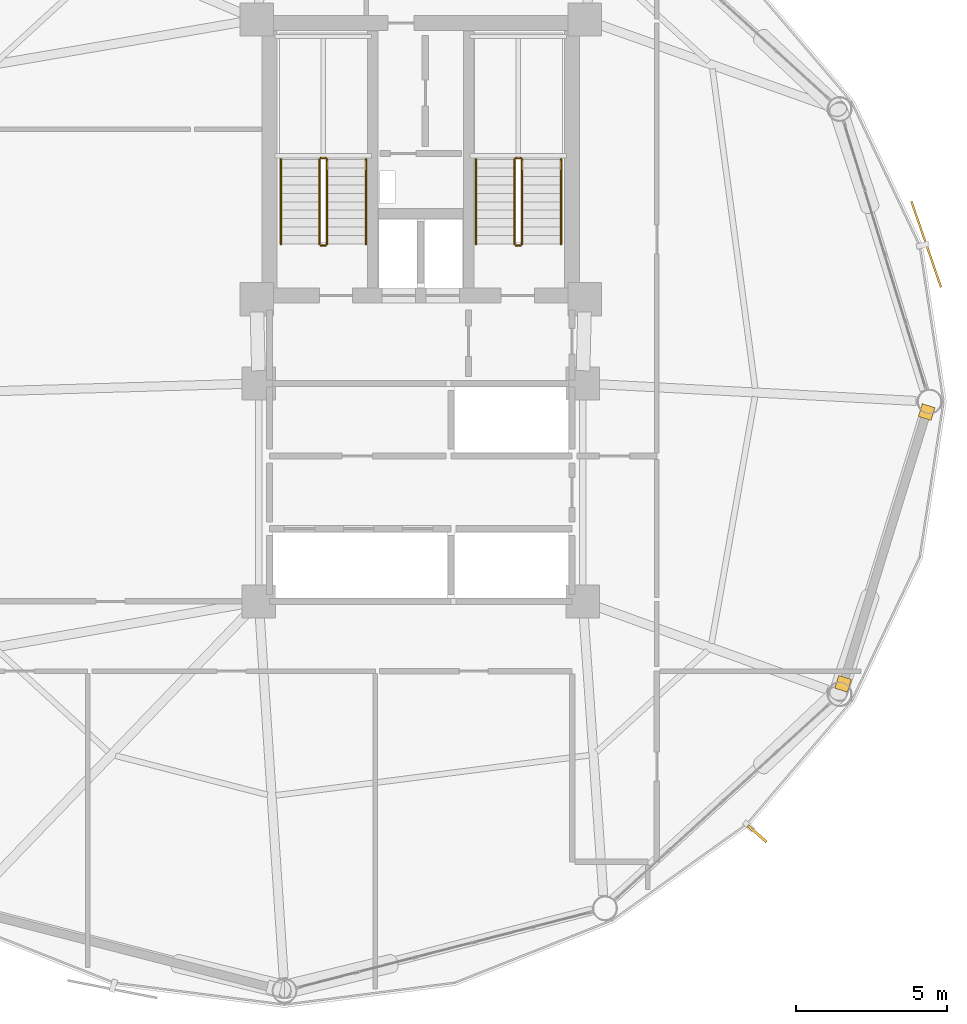
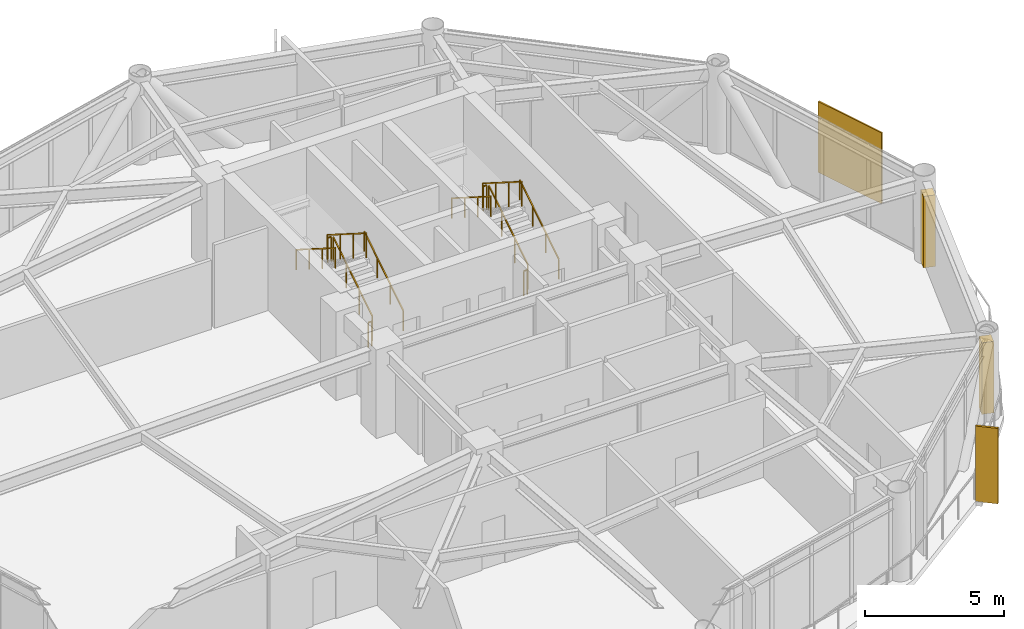
# One storey, part 23 of 24: 12 railings, 2 coverings, 2 shading devices.
"""IFC4 building model written with IfcOpenShell, lengths in metres."""

from ifc_helpers import new_model, si_unit, direction, frame, origin, origin_2d, place, context, subcontext, project, spatial, rectangle, extrude, source, transform, mapped, material, layer, layer_set, type_object, type_shapes, element, save


model = new_model("IFC4")

# Units and contexts
model_context = context("Model", 3, precision=1e-05, world=origin(), true_north=direction((0.0, 1.0)))
body_context = subcontext(model_context, "Body", "Model", "MODEL_VIEW")
ifc_project = project(units=[si_unit("LENGTHUNIT", "METRE"), si_unit("AREAUNIT", "SQUARE_METRE"), si_unit("VOLUMEUNIT", "CUBIC_METRE"), si_unit("PLANEANGLEUNIT", "RADIAN"), si_unit("MASSUNIT", "GRAM", prefix="KILO")], contexts=[model_context])

# Site, building, storey
site_placement = place(None, origin())
site = spatial("IfcSite", under=ifc_project, at=site_placement, CompositionType="ELEMENT")
building_placement = place(site_placement, origin())
building = spatial("IfcBuilding", under=site, at=building_placement, Name="Varnakorn Sky Granary", CompositionType="ELEMENT")
storey_placement = place(building_placement, frame((0.0, 0.0, 118.800048828125)))
storey = spatial("IfcBuildingStorey", under=building, at=storey_placement, Name="L29", CompositionType="ELEMENT", Elevation=118.800048828125)

# Railings
ifc_material_1 = material(Name="Brushed Stainless Steel 316", Category="steel")
railing_type_1 = type_object("IfcRailingType", Name="RL-STAIR-1100", PredefinedType="GUARDRAIL", material=ifc_material_1)
railing_1_placement = place(storey_placement, frame((-0.090087890625, 5.199951171875, 0.17724609375)))
element("IfcRailing", 1, at=railing_1_placement, inside=storey, type_object=railing_type_1, Name="L29 ST-1 stair guard 1", PredefinedType="GUARDRAIL", context=body_context, shape_type="SweptSolid", body=[
    extrude(rectangle(XDim=0.048095703125, YDim=0.048095703125, at=origin_2d()), frame((0.0, 0.0, 1.076171875), z_axis=(0.0, 0.844908973607, 0.534910110503), x_axis=(-1.0, 0.0, 0.0)), (0.0, 0.0, 1.0), 3.31396484375),
    extrude(rectangle(XDim=0.0419921875, YDim=0.0419921875, at=origin_2d()), origin(), (0.0, 0.0, 1.0), 1.048095703125),
    extrude(rectangle(XDim=0.0419921875, YDim=0.0419921875, at=origin_2d()), frame((0.0, 0.933349609375, 0.5908203125)), (0.0, 0.0, 1.0), 1.048095703125),
    extrude(rectangle(XDim=0.0419921875, YDim=0.0419921875, at=origin_2d()), frame((0.0, 1.86669921875, 1.181884765625)), (0.0, 0.0, 1.0), 1.048095703125),
    extrude(rectangle(XDim=0.0419921875, YDim=0.0419921875, at=origin_2d()), frame((0.0, 2.800048828125, 1.772705078125)), (0.0, 0.0, 1.0), 1.048095703125),
])
railing_2_placement = place(storey_placement, frame((-0.139892578125, 8.050048828125, 1.949951171875)))
element("IfcRailing", 2, at=railing_2_placement, inside=storey, type_object=railing_type_1, Name="L29 ST-1 stair guard 2", PredefinedType="GUARDRAIL", context=body_context, shape_type="SweptSolid", body=[
    extrude(rectangle(XDim=0.048095703125, YDim=0.048095703125, at=origin_2d()), frame((0.0, 0.0, 1.076171875), z_axis=(-1.0, 0.0, 0.0), x_axis=(0.0, -1.0, 0.0)), (0.0, 0.0, 1.0), 0.150146484375),
    extrude(rectangle(XDim=0.0419921875, YDim=0.0419921875, at=origin_2d()), origin(), (0.0, 0.0, 1.0), 1.048095703125),
    extrude(rectangle(XDim=0.0419921875, YDim=0.0419921875, at=origin_2d()), frame((-0.150146484375, 0.0, 0.0)), (0.0, 0.0, 1.0), 1.048095703125),
])
railing_3_placement = place(storey_placement, frame((-0.340087890625, 8.0, 2.127197265625)))
element("IfcRailing", 3, at=railing_3_placement, inside=storey, type_object=railing_type_1, Name="L29 ST-1 stair guard 3", PredefinedType="GUARDRAIL", context=body_context, shape_type="SweptSolid", body=[
    extrude(rectangle(XDim=0.048095703125, YDim=0.048095703125, at=origin_2d()), frame((0.0, 0.0, 1.076171875), z_axis=(0.0, -0.844908973607, 0.534910110503), x_axis=(1.0, 0.0, 0.0)), (0.0, 0.0, 1.0), 3.31396484375),
    extrude(rectangle(XDim=0.0419921875, YDim=0.0419921875, at=origin_2d()), origin(), (0.0, 0.0, 1.0), 1.048095703125),
    extrude(rectangle(XDim=0.0419921875, YDim=0.0419921875, at=origin_2d()), frame((0.0, -0.933349609375, 0.5908203125)), (0.0, 0.0, 1.0), 1.048095703125),
    extrude(rectangle(XDim=0.0419921875, YDim=0.0419921875, at=origin_2d()), frame((0.0, -1.86669921875, 1.181884765625)), (0.0, 0.0, 1.0), 1.048095703125),
    extrude(rectangle(XDim=0.0419921875, YDim=0.0419921875, at=origin_2d()), frame((0.0, -2.800048828125, 1.772705078125)), (0.0, 0.0, 1.0), 1.048095703125),
])
railing_4_placement = place(storey_placement, frame((-0.139892578125, 5.14990234375, 0.0)))
element("IfcRailing", 4, at=railing_4_placement, inside=storey, type_object=railing_type_1, Name="L29 ST-1 stair guard 4", PredefinedType="GUARDRAIL", context=body_context, shape_type="SweptSolid", body=[
    extrude(rectangle(XDim=0.048095703125, YDim=0.048095703125, at=origin_2d()), frame((0.0, 0.0, 1.076171875), z_axis=(-1.0, 0.0, 0.0), x_axis=(0.0, -1.0, 0.0)), (0.0, 0.0, 1.0), 0.150146484375),
    extrude(rectangle(XDim=0.0419921875, YDim=0.0419921875, at=origin_2d()), origin(), (0.0, 0.0, 1.0), 1.048095703125),
    extrude(rectangle(XDim=0.0419921875, YDim=0.0419921875, at=origin_2d()), frame((-0.150146484375, 0.0, 0.0)), (0.0, 0.0, 1.0), 1.048095703125),
])
railing_5_placement = place(storey_placement, frame((6.35009765625, 5.199951171875, 0.17724609375)))
element("IfcRailing", 5, at=railing_5_placement, inside=storey, type_object=railing_type_1, Name="L29 ST-2 stair guard 1", PredefinedType="GUARDRAIL", context=body_context, shape_type="SweptSolid", body=[
    extrude(rectangle(XDim=0.048095703125, YDim=0.048095703125, at=origin_2d()), frame((0.0, 0.0, 1.076171875), z_axis=(0.0, 0.844908973607, 0.534910110503), x_axis=(-1.0, 0.0, 0.0)), (0.0, 0.0, 1.0), 3.31396484375),
    extrude(rectangle(XDim=0.0419921875, YDim=0.0419921875, at=origin_2d()), origin(), (0.0, 0.0, 1.0), 1.048095703125),
    extrude(rectangle(XDim=0.0419921875, YDim=0.0419921875, at=origin_2d()), frame((0.0, 0.933349609375, 0.5908203125)), (0.0, 0.0, 1.0), 1.048095703125),
    extrude(rectangle(XDim=0.0419921875, YDim=0.0419921875, at=origin_2d()), frame((0.0, 1.86669921875, 1.181884765625)), (0.0, 0.0, 1.0), 1.048095703125),
    extrude(rectangle(XDim=0.0419921875, YDim=0.0419921875, at=origin_2d()), frame((0.0, 2.800048828125, 1.772705078125)), (0.0, 0.0, 1.0), 1.048095703125),
])
railing_6_placement = place(storey_placement, frame((6.300048828125, 8.050048828125, 1.949951171875)))
element("IfcRailing", 6, at=railing_6_placement, inside=storey, type_object=railing_type_1, Name="L29 ST-2 stair guard 2", PredefinedType="GUARDRAIL", context=body_context, shape_type="SweptSolid", body=[
    extrude(rectangle(XDim=0.048095703125, YDim=0.048095703125, at=origin_2d()), frame((0.0, 0.0, 1.076171875), z_axis=(-1.0, 0.0, 0.0), x_axis=(0.0, -1.0, 0.0)), (0.0, 0.0, 1.0), 0.150146484375),
    extrude(rectangle(XDim=0.0419921875, YDim=0.0419921875, at=origin_2d()), origin(), (0.0, 0.0, 1.0), 1.048095703125),
    extrude(rectangle(XDim=0.0419921875, YDim=0.0419921875, at=origin_2d()), frame((-0.150146484375, 0.0, 0.0)), (0.0, 0.0, 1.0), 1.048095703125),
])
railing_7_placement = place(storey_placement, frame((6.10009765625, 8.0, 2.127197265625)))
element("IfcRailing", 7, at=railing_7_placement, inside=storey, type_object=railing_type_1, Name="L29 ST-2 stair guard 3", PredefinedType="GUARDRAIL", context=body_context, shape_type="SweptSolid", body=[
    extrude(rectangle(XDim=0.048095703125, YDim=0.048095703125, at=origin_2d()), frame((0.0, 0.0, 1.076171875), z_axis=(0.0, -0.844908973607, 0.534910110503), x_axis=(1.0, 0.0, 0.0)), (0.0, 0.0, 1.0), 3.31396484375),
    extrude(rectangle(XDim=0.0419921875, YDim=0.0419921875, at=origin_2d()), origin(), (0.0, 0.0, 1.0), 1.048095703125),
    extrude(rectangle(XDim=0.0419921875, YDim=0.0419921875, at=origin_2d()), frame((0.0, -0.933349609375, 0.5908203125)), (0.0, 0.0, 1.0), 1.048095703125),
    extrude(rectangle(XDim=0.0419921875, YDim=0.0419921875, at=origin_2d()), frame((0.0, -1.86669921875, 1.181884765625)), (0.0, 0.0, 1.0), 1.048095703125),
    extrude(rectangle(XDim=0.0419921875, YDim=0.0419921875, at=origin_2d()), frame((0.0, -2.800048828125, 1.772705078125)), (0.0, 0.0, 1.0), 1.048095703125),
])
railing_8_placement = place(storey_placement, frame((6.300048828125, 5.14990234375, 0.0)))
element("IfcRailing", 8, at=railing_8_placement, inside=storey, type_object=railing_type_1, Name="L29 ST-2 stair guard 4", PredefinedType="GUARDRAIL", context=body_context, shape_type="SweptSolid", body=[
    extrude(rectangle(XDim=0.048095703125, YDim=0.048095703125, at=origin_2d()), frame((0.0, 0.0, 1.076171875), z_axis=(-1.0, 0.0, 0.0), x_axis=(0.0, -1.0, 0.0)), (0.0, 0.0, 1.0), 0.150146484375),
    extrude(rectangle(XDim=0.0419921875, YDim=0.0419921875, at=origin_2d()), origin(), (0.0, 0.0, 1.0), 1.048095703125),
    extrude(rectangle(XDim=0.0419921875, YDim=0.0419921875, at=origin_2d()), frame((-0.150146484375, 0.0, 0.0)), (0.0, 0.0, 1.0), 1.048095703125),
])
railing_type_2 = type_object("IfcRailingType", Name="RL-STAIR-920", PredefinedType="HANDRAIL", material=ifc_material_1)
railing_9_placement = place(storey_placement, frame((1.18994140625, 5.199951171875, 0.17724609375)))
element("IfcRailing", 9, at=railing_9_placement, inside=storey, type_object=railing_type_2, Name="L29 ST-1 stair handrail 1", PredefinedType="HANDRAIL", context=body_context, shape_type="SweptSolid", body=[
    extrude(rectangle(XDim=0.048095703125, YDim=0.048095703125, at=origin_2d()), frame((0.0, 0.0, 0.8759765625), z_axis=(0.0, 0.844908973607, 0.534910110503), x_axis=(-1.0, 0.0, 0.0)), (0.0, 0.0, 1.0), 3.31396484375),
    extrude(rectangle(XDim=0.0419921875, YDim=0.0419921875, at=origin_2d()), origin(), (0.0, 0.0, 1.0), 0.847900390625),
    extrude(rectangle(XDim=0.0419921875, YDim=0.0419921875, at=origin_2d()), frame((0.0, 0.933349609375, 0.5908203125)), (0.0, 0.0, 1.0), 0.847900390625),
    extrude(rectangle(XDim=0.0419921875, YDim=0.0419921875, at=origin_2d()), frame((0.0, 1.86669921875, 1.181884765625)), (0.0, 0.0, 1.0), 0.847900390625),
    extrude(rectangle(XDim=0.0419921875, YDim=0.0419921875, at=origin_2d()), frame((0.0, 2.800048828125, 1.772705078125)), (0.0, 0.0, 1.0), 0.847900390625),
])
railing_10_placement = place(storey_placement, frame((-1.6201171875, 8.0, 2.127197265625)))
element("IfcRailing", 10, at=railing_10_placement, inside=storey, type_object=railing_type_2, Name="L29 ST-1 stair handrail 2", PredefinedType="HANDRAIL", context=body_context, shape_type="SweptSolid", body=[
    extrude(rectangle(XDim=0.048095703125, YDim=0.048095703125, at=origin_2d()), frame((0.0, 0.0, 0.8759765625), z_axis=(0.0, -0.844908973607, 0.534910110503), x_axis=(1.0, 0.0, 0.0)), (0.0, 0.0, 1.0), 3.31396484375),
    extrude(rectangle(XDim=0.0419921875, YDim=0.0419921875, at=origin_2d()), origin(), (0.0, 0.0, 1.0), 0.847900390625),
    extrude(rectangle(XDim=0.0419921875, YDim=0.0419921875, at=origin_2d()), frame((0.0, -0.933349609375, 0.5908203125)), (0.0, 0.0, 1.0), 0.847900390625),
    extrude(rectangle(XDim=0.0419921875, YDim=0.0419921875, at=origin_2d()), frame((0.0, -1.86669921875, 1.181884765625)), (0.0, 0.0, 1.0), 0.847900390625),
    extrude(rectangle(XDim=0.0419921875, YDim=0.0419921875, at=origin_2d()), frame((0.0, -2.800048828125, 1.772705078125)), (0.0, 0.0, 1.0), 0.847900390625),
])
railing_11_placement = place(storey_placement, frame((7.6298828125, 5.199951171875, 0.17724609375)))
element("IfcRailing", 11, at=railing_11_placement, inside=storey, type_object=railing_type_2, Name="L29 ST-2 stair handrail 1", PredefinedType="HANDRAIL", context=body_context, shape_type="SweptSolid", body=[
    extrude(rectangle(XDim=0.048095703125, YDim=0.048095703125, at=origin_2d()), frame((0.0, 0.0, 0.8759765625), z_axis=(0.0, 0.844908973607, 0.534910110503), x_axis=(-1.0, 0.0, 0.0)), (0.0, 0.0, 1.0), 3.31396484375),
    extrude(rectangle(XDim=0.0419921875, YDim=0.0419921875, at=origin_2d()), origin(), (0.0, 0.0, 1.0), 0.847900390625),
    extrude(rectangle(XDim=0.0419921875, YDim=0.0419921875, at=origin_2d()), frame((0.0, 0.933349609375, 0.5908203125)), (0.0, 0.0, 1.0), 0.847900390625),
    extrude(rectangle(XDim=0.0419921875, YDim=0.0419921875, at=origin_2d()), frame((0.0, 1.86669921875, 1.181884765625)), (0.0, 0.0, 1.0), 0.847900390625),
    extrude(rectangle(XDim=0.0419921875, YDim=0.0419921875, at=origin_2d()), frame((0.0, 2.800048828125, 1.772705078125)), (0.0, 0.0, 1.0), 0.847900390625),
])
railing_12_placement = place(storey_placement, frame((4.820068359375, 8.0, 2.127197265625)))
element("IfcRailing", 12, at=railing_12_placement, inside=storey, type_object=railing_type_2, Name="L29 ST-2 stair handrail 2", PredefinedType="HANDRAIL", context=body_context, shape_type="SweptSolid", body=[
    extrude(rectangle(XDim=0.048095703125, YDim=0.048095703125, at=origin_2d()), frame((0.0, 0.0, 0.8759765625), z_axis=(0.0, -0.844908973607, 0.534910110503), x_axis=(1.0, 0.0, 0.0)), (0.0, 0.0, 1.0), 3.31396484375),
    extrude(rectangle(XDim=0.0419921875, YDim=0.0419921875, at=origin_2d()), origin(), (0.0, 0.0, 1.0), 0.847900390625),
    extrude(rectangle(XDim=0.0419921875, YDim=0.0419921875, at=origin_2d()), frame((0.0, -0.933349609375, 0.5908203125)), (0.0, 0.0, 1.0), 0.847900390625),
    extrude(rectangle(XDim=0.0419921875, YDim=0.0419921875, at=origin_2d()), frame((0.0, -1.86669921875, 1.181884765625)), (0.0, 0.0, 1.0), 0.847900390625),
    extrude(rectangle(XDim=0.0419921875, YDim=0.0419921875, at=origin_2d()), frame((0.0, -2.800048828125, 1.772705078125)), (0.0, 0.0, 1.0), 0.847900390625),
])

# Coverings
ifc_material_2 = material(Name="Anodised Bronze Aluminium Alloy 6063-T6", Category="aluminium")
ifc_layer = layer(ifc_material_2, 0.050048828125, Name="Anodised Bronze Aluminium Alloy 6063-T6")
ifc_layer_set = layer_set([ifc_layer], Name="Anodised Bronze Aluminium Alloy 6063-T6")
covering_type = type_object("IfcCoveringType", Name="CV-CLAD-50", PredefinedType="CLADDING", material=ifc_layer_set)
shared_shape_1 = source(origin(), body_context, "Body", "SweptSolid", [
    extrude(rectangle(XDim=0.43994140625, YDim=0.43994140625, at=origin_2d()), origin(), (0.0, 0.0, 1.0), 3.1298828125),
])
type_shapes(covering_type, [shared_shape_1])
for number, where, z_axis, x_axis, name in (
    (13, (19.710693359375, -0.345458984375, -0.02001953125), (0.0, 0.0, 1.0), (-0.293873503404, -0.955844319959, 0.0), "Bronze Corner Pilaster Closure L29-P12-A"),
    (14, (16.950439453125, -9.321533203125, -0.02001953125), (0.0, 0.0, 1.0), (-0.293873503404, -0.955844319959, 0.0), "Bronze Corner Pilaster Closure L29-P12-B"),
):
    element("IfcCovering", number, at=place(storey_placement, frame(where, z_axis=z_axis, x_axis=x_axis)), inside=storey, type_object=covering_type, Name=name, PredefinedType="CLADDING", context=body_context, shape_type="MappedRepresentation", body=[
        mapped(shared_shape_1, transform((0.0, 0.0, 0.0), x_axis=(1.0, 0.0, 0.0), y_axis=(0.0, 1.0, 0.0), z_axis=(0.0, 0.0, 1.0), scale=1.0)),
    ])

# Shading devices
shading_device_type_1 = type_object("IfcShadingDeviceType", Name="SH-SCR-02", PredefinedType="USERDEFINED", material=ifc_material_2)
shared_shape_2 = source(origin(), body_context, "Body", "SweptSolid", [
    extrude(rectangle(XDim=3.0, YDim=0.06494140625, at=origin_2d()), origin(), (0.0, 0.0, 1.0), 3.10009765625),
])
type_shapes(shading_device_type_1, [shared_shape_2])
shading_device_1_placement = place(storey_placement, frame((19.695556640625, 5.19580078125, -0.0400390625), z_axis=(0.0, 0.0, 1.0), x_axis=(-0.325955735288, 0.945385031949, 0.0)))
element("IfcShadingDevice", 15, at=shading_device_1_placement, inside=storey, type_object=shading_device_type_1, Name="Perforated Bronze Solar Screen Panel SCREEN L29-01", ObjectType="SCREEN", PredefinedType="USERDEFINED", context=body_context, shape_type="MappedRepresentation", body=[
    mapped(shared_shape_2, transform((0.0, 0.0, 0.0), x_axis=(1.0, 0.0, 0.0), y_axis=(0.0, 1.0, 0.0), z_axis=(0.0, 0.0, 1.0), scale=1.0)),
])
shading_device_type_2 = type_object("IfcShadingDeviceType", Name="SH-FIN-02", PredefinedType="USERDEFINED", material=ifc_material_2)
shared_shape_3 = source(origin(), body_context, "Body", "SweptSolid", [
    extrude(rectangle(XDim=0.0849609375, YDim=0.820068359375, at=origin_2d()), origin(), (0.0, 0.0, 1.0), 3.300048828125),
])
type_shapes(shading_device_type_2, [shared_shape_3])
shading_device_2_placement = place(storey_placement, frame((14.11181640625, -14.27392578125, -0.0400390625), z_axis=(0.0, 0.0, 1.0), x_axis=(0.656156595281, 0.754624756067, 0.0)))
element("IfcShadingDevice", 16, at=shading_device_2_placement, inside=storey, type_object=shading_device_type_2, Name="Bronze Solar-Tracking Vertical Blade FIN L29-11", ObjectType="FIN", PredefinedType="USERDEFINED", context=body_context, shape_type="MappedRepresentation", body=[
    mapped(shared_shape_3, transform((0.0, 0.0, 0.0), x_axis=(1.0, 0.0, 0.0), y_axis=(0.0, 1.0, 0.0), z_axis=(0.0, 0.0, 1.0), scale=1.0)),
])

save(model, "model.ifc")
